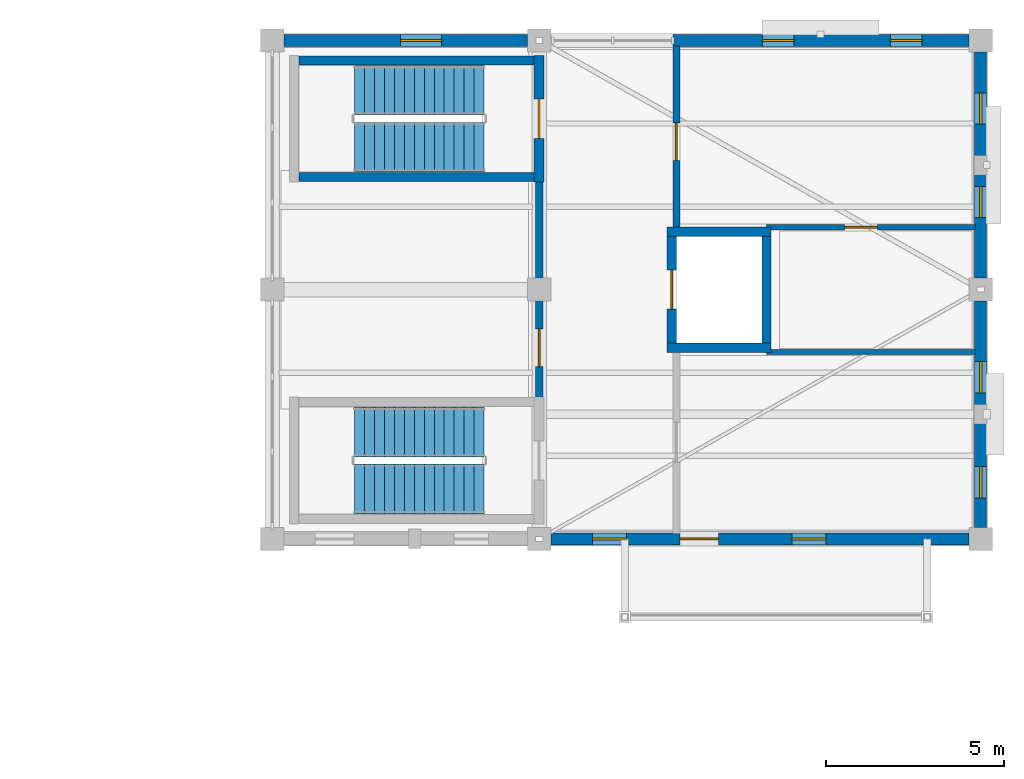
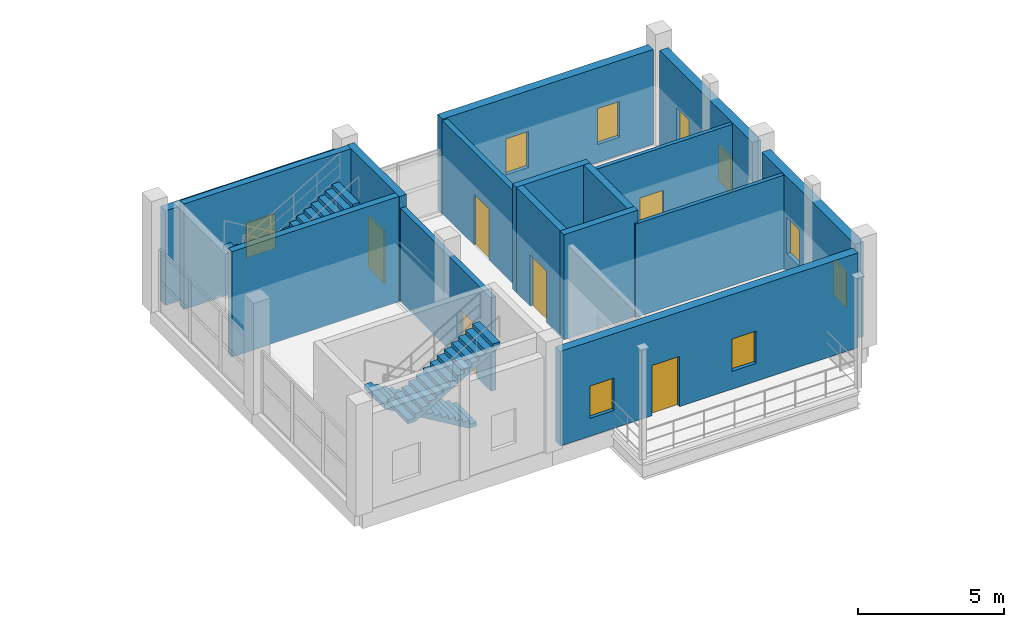
# One storey, part 32 of 40: 16 walls, 9 windows, 6 doors, 4 stair flights, 15 openings, 2 elements without a shape of their own.
"""IFC4 building model written with IfcOpenShell, lengths in metres."""

from ifc_helpers import new_model, si_unit, direction, frame, frame_2d, origin, place, context, subcontext, project, spatial, polyline, rectangle, outline, extrude, material, layer, layer_set, type_object, element, fill, aggregate, save


model = new_model("IFC4")

# Units and contexts
model_context = context("Model", 3, precision=1e-05, world=origin(), true_north=direction((0.0, 1.0)))
body_context = subcontext(model_context, "Body", "Model", "MODEL_VIEW")
ifc_project = project(units=[si_unit("LENGTHUNIT", "METRE"), si_unit("AREAUNIT", "SQUARE_METRE"), si_unit("VOLUMEUNIT", "CUBIC_METRE"), si_unit("PLANEANGLEUNIT", "RADIAN"), si_unit("MASSUNIT", "GRAM", prefix="KILO")], contexts=[model_context])

# Site, building, storey
site_placement = place(None, origin())
site = spatial("IfcSite", under=ifc_project, at=site_placement, CompositionType="ELEMENT")
building_placement = place(site_placement, origin())
building = spatial("IfcBuilding", under=site, at=building_placement, Name="Trellovar Central Fire Station", CompositionType="ELEMENT")
storey_placement = place(building_placement, frame((0.0, 0.0, 12.75)))
storey = spatial("IfcBuildingStorey", under=building, at=storey_placement, Name="L04", CompositionType="ELEMENT", Elevation=12.75)

# Wall, openings, door, windows
ifc_material_1 = material(Name="Textured desert sandstone masonry", Category="masonry")
ifc_layer_1 = layer(ifc_material_1, 0.340087890625)
ifc_layer_set_1 = layer_set([ifc_layer_1], Name="Textured desert sandstone masonry")
wall_type_1 = type_object("IfcWallType", Name="EW-3", PredefinedType="STANDARD", material=ifc_layer_set_1)
wall_1_placement = place(storey_placement, frame((148.925048828125, 59.0, 0.0), z_axis=(0.0, 0.0, 1.0), x_axis=(1.0, 0.0, 0.0)))
wall_1 = element("IfcWall", 1, at=wall_1_placement, inside=storey, type_object=wall_type_1, Name="V2 L04 south training deck wall", PredefinedType="STANDARD", context=body_context, shape_type="SweptSolid", body=[
    extrude(rectangle(XDim=11.75, YDim=0.340087890625, at=frame_2d((5.875, 0.0))), origin(), (0.0, 0.0, 1.0), 3.949951171875),
])
opening_1_placement = place(wall_1_placement, frame((3.625, 0.0, 0.0)))
opening_1 = element("IfcOpeningElement", 2, at=opening_1_placement, cuts=wall_1, Name="Opening EX-3", PredefinedType="OPENING", context=body_context, shape_type="SweptSolid", body=[
    extrude(rectangle(XDim=1.080078125, YDim=2.10009765625, at=frame_2d((0.5400390625, 1.050048828125))), frame((0.0, 0.179931640625, 0.0), z_axis=(0.0, -1.0, 0.0), x_axis=(1.0, 0.0, 0.0)), (0.0, 0.0, 1.0), 0.360107421875),
])
opening_2_placement = place(wall_1_placement, frame((1.175048828125, 0.0, 0.75)))
opening_2 = element("IfcOpeningElement", 3, at=opening_2_placement, cuts=wall_1, Name="Opening W-05", PredefinedType="OPENING", context=body_context, shape_type="SweptSolid", body=[
    extrude(rectangle(XDim=0.949951171875, YDim=1.35009765625, at=frame_2d((0.47509765625, 0.675048828125))), frame((0.0, 0.179931640625, 0.0), z_axis=(0.0, -1.0, 0.0), x_axis=(1.0, 0.0, 0.0)), (0.0, 0.0, 1.0), 0.360107421875),
])
opening_3_placement = place(wall_1_placement, frame((6.77490234375, 0.0, 0.75)))
opening_3 = element("IfcOpeningElement", 4, at=opening_3_placement, cuts=wall_1, Name="Opening W-05", PredefinedType="OPENING", context=body_context, shape_type="SweptSolid", body=[
    extrude(rectangle(XDim=0.949951171875, YDim=1.35009765625, at=frame_2d((0.47509765625, 0.675048828125))), frame((0.0, 0.179931640625, 0.0), z_axis=(0.0, -1.0, 0.0), x_axis=(1.0, 0.0, 0.0)), (0.0, 0.0, 1.0), 0.360107421875),
])
ifc_material_2 = material(Name="Thermally broken bronze anodized aluminum", Category="aluminium")
door_type_1 = type_object("IfcDoorType", Name="DR-EXT3", OperationType="SINGLE_SWING_LEFT", PredefinedType="DOOR", material=ifc_material_2)
door_1_placement = place(opening_1_placement, frame((1.080078125, 0.0, 0.0), z_axis=(0.0, 0.0, 1.0), x_axis=(-1.0, 0.0, 0.0)))
door_1 = element("IfcDoor", 5, at=door_1_placement, inside=storey, type_object=door_type_1, Name="V2 L04 rappel training balcony door", OperationType="SINGLE_SWING_LEFT", OverallHeight=2.10009765625, OverallWidth=1.080078125, PredefinedType="DOOR", context=body_context, shape_type="SweptSolid", body=[
    extrude(rectangle(XDim=1.080078125, YDim=2.10009765625, at=frame_2d((0.5400390625, 1.050048828125))), frame((0.0, 0.02490234375, 0.0), z_axis=(0.0, -1.0, 0.0), x_axis=(1.0, 0.0, 0.0)), (0.0, 0.0, 1.0), 0.050048828125),
])
fill(opening_1, door_1)
ifc_material_3 = material(Name="Thermally broken bronze anodized aluminum", Category="aluminium")
window_type_1 = type_object("IfcWindowType", Name="WIN-05", PartitioningType="SINGLE_PANEL", PredefinedType="WINDOW", material=ifc_material_3)
window_1_placement = place(opening_2_placement, origin())
window_1 = element("IfcWindow", 6, at=window_1_placement, inside=storey, type_object=window_type_1, Name="V2 L04 bailout training window W", OverallHeight=1.35009765625, OverallWidth=0.949951171875, PartitioningType="SINGLE_PANEL", PredefinedType="WINDOW", context=body_context, shape_type="SweptSolid", body=[
    extrude(rectangle(XDim=0.949951171875, YDim=1.35009765625, at=frame_2d((0.47509765625, 0.675048828125))), frame((0.0, 0.030029296875, 0.0), z_axis=(0.0, -1.0, 0.0), x_axis=(1.0, 0.0, 0.0)), (0.0, 0.0, 1.0), 0.06005859375),
])
fill(opening_2, window_1)
window_2_placement = place(opening_3_placement, origin())
window_2 = element("IfcWindow", 7, at=window_2_placement, inside=storey, type_object=window_type_1, Name="V2 L04 bailout training window E", OverallHeight=1.35009765625, OverallWidth=0.949951171875, PartitioningType="SINGLE_PANEL", PredefinedType="WINDOW", context=body_context, shape_type="SweptSolid", body=[
    extrude(rectangle(XDim=0.949951171875, YDim=1.35009765625, at=frame_2d((0.47509765625, 0.675048828125))), frame((0.0, 0.030029296875, 0.0), z_axis=(0.0, -1.0, 0.0), x_axis=(1.0, 0.0, 0.0)), (0.0, 0.0, 1.0), 0.06005859375),
])
fill(opening_3, window_2)

# Wall, openings, windows
wall_2_placement = place(storey_placement, frame((160.675048828125, 73.0, 0.0), z_axis=(0.0, 0.0, 1.0), x_axis=(-1.0, 0.0, 0.0)))
wall_2 = element("IfcWall", 8, at=wall_2_placement, inside=storey, type_object=wall_type_1, Name="V2 L04 north hose shaft wall", PredefinedType="STANDARD", context=body_context, shape_type="SweptSolid", body=[
    extrude(rectangle(XDim=8.324951171875, YDim=0.340087890625, at=frame_2d((4.16259765625, 0.0))), origin(), (0.0, 0.0, 1.0), 3.949951171875),
])
opening_4_placement = place(wall_2_placement, frame((1.324951171875, 0.0, 0.75)))
opening_4 = element("IfcOpeningElement", 9, at=opening_4_placement, cuts=wall_2, Name="Opening W-07", PredefinedType="OPENING", context=body_context, shape_type="SweptSolid", body=[
    extrude(rectangle(XDim=0.8798828125, YDim=1.5, at=frame_2d((0.43994140625, 0.75))), frame((0.0, 0.179931640625, 0.0), z_axis=(0.0, -1.0, 0.0), x_axis=(1.0, 0.0, 0.0)), (0.0, 0.0, 1.0), 0.360107421875),
])
opening_5_placement = place(wall_2_placement, frame((4.925048828125, 0.0, 0.75)))
opening_5 = element("IfcOpeningElement", 10, at=opening_5_placement, cuts=wall_2, Name="Opening W-07", PredefinedType="OPENING", context=body_context, shape_type="SweptSolid", body=[
    extrude(rectangle(XDim=0.8798828125, YDim=1.5, at=frame_2d((0.43994140625, 0.75))), frame((0.0, 0.179931640625, 0.0), z_axis=(0.0, -1.0, 0.0), x_axis=(1.0, 0.0, 0.0)), (0.0, 0.0, 1.0), 0.360107421875),
])
ifc_material_4 = material(Name="Thermally broken bronze anodized aluminum", Category="aluminium")
window_type_2 = type_object("IfcWindowType", Name="WIN-07", PartitioningType="SINGLE_PANEL", PredefinedType="WINDOW", material=ifc_material_4)
window_3_placement = place(opening_4_placement, origin())
window_3 = element("IfcWindow", 11, at=window_3_placement, inside=storey, type_object=window_type_2, Name="V2 L04 hose drying ventilation lancet A", OverallHeight=1.5, OverallWidth=0.8798828125, PartitioningType="SINGLE_PANEL", PredefinedType="WINDOW", context=body_context, shape_type="SweptSolid", body=[
    extrude(rectangle(XDim=0.8798828125, YDim=1.5, at=frame_2d((0.43994140625, 0.75))), frame((0.0, 0.030029296875, 0.0), z_axis=(0.0, -1.0, 0.0), x_axis=(1.0, 0.0, 0.0)), (0.0, 0.0, 1.0), 0.06005859375),
])
fill(opening_4, window_3)
window_4_placement = place(opening_5_placement, origin())
window_4 = element("IfcWindow", 12, at=window_4_placement, inside=storey, type_object=window_type_2, Name="V2 L04 hose drying ventilation lancet B", OverallHeight=1.5, OverallWidth=0.8798828125, PartitioningType="SINGLE_PANEL", PredefinedType="WINDOW", context=body_context, shape_type="SweptSolid", body=[
    extrude(rectangle(XDim=0.8798828125, YDim=1.5, at=frame_2d((0.43994140625, 0.75))), frame((0.0, 0.030029296875, 0.0), z_axis=(0.0, -1.0, 0.0), x_axis=(1.0, 0.0, 0.0)), (0.0, 0.0, 1.0), 0.06005859375),
])
fill(opening_5, window_4)

# Wall, opening, window
wall_3_placement = place(storey_placement, frame((148.27490234375, 73.0, 0.0), z_axis=(0.0, 0.0, 1.0), x_axis=(-1.0, 0.0, 0.0)))
wall_3 = element("IfcWall", 13, at=wall_3_placement, inside=storey, type_object=wall_type_1, Name="V2 L04 north stair bay wall", PredefinedType="STANDARD", context=body_context, shape_type="SweptSolid", body=[
    extrude(rectangle(XDim=6.849853515625, YDim=0.340087890625, at=frame_2d((3.4248046875, 0.0))), origin(), (0.0, 0.0, 1.0), 3.949951171875),
])
opening_6_placement = place(wall_3_placement, frame((2.425048828125, 0.0, 0.75)))
opening_6 = element("IfcOpeningElement", 14, at=opening_6_placement, cuts=wall_3, Name="Opening W-01", PredefinedType="OPENING", context=body_context, shape_type="SweptSolid", body=[
    extrude(rectangle(XDim=1.14990234375, YDim=1.449951171875, at=frame_2d((0.574951171875, 0.72509765625))), frame((0.0, 0.179931640625, 0.0), z_axis=(0.0, -1.0, 0.0), x_axis=(1.0, 0.0, 0.0)), (0.0, 0.0, 1.0), 0.360107421875),
])
ifc_material_5 = material(Name="Thermally broken bronze anodized aluminum", Category="aluminium")
window_type_3 = type_object("IfcWindowType", Name="WIN-01", PartitioningType="SINGLE_PANEL", PredefinedType="WINDOW", material=ifc_material_5)
window_5_placement = place(opening_6_placement, origin())
window_5 = element("IfcWindow", 15, at=window_5_placement, inside=storey, type_object=window_type_3, Name="L04 window W-01", OverallHeight=1.449951171875, OverallWidth=1.14990234375, PartitioningType="SINGLE_PANEL", PredefinedType="WINDOW", context=body_context, shape_type="SweptSolid", body=[
    extrude(rectangle(XDim=1.14990234375, YDim=1.449951171875, at=frame_2d((0.574951171875, 0.72509765625))), frame((0.0, 0.030029296875, 0.0), z_axis=(0.0, -1.0, 0.0), x_axis=(1.0, 0.0, 0.0)), (0.0, 0.0, 1.0), 0.06005859375),
])
fill(opening_6, window_5)

# Wall, openings, windows
wall_4_placement = place(storey_placement, frame((161.0, 59.324951171875, 0.0), z_axis=(0.0, 0.0, 1.0), x_axis=(0.0, 1.0, 0.0)))
wall_4 = element("IfcWall", 16, at=wall_4_placement, inside=storey, type_object=wall_type_1, Name="V2 L04 east avenue wall", PredefinedType="STANDARD", context=body_context, shape_type="SweptSolid", body=[
    extrude(rectangle(XDim=6.35009765625, YDim=0.340087890625, at=frame_2d((3.175048828125, 0.0))), origin(), (0.0, 0.0, 1.0), 3.949951171875),
])
opening_7_placement = place(wall_4_placement, frame((0.824951171875, 0.0, 0.75)))
opening_7 = element("IfcOpeningElement", 17, at=opening_7_placement, cuts=wall_4, Name="Opening W-07", PredefinedType="OPENING", context=body_context, shape_type="SweptSolid", body=[
    extrude(rectangle(XDim=0.8798828125, YDim=1.5, at=frame_2d((0.43994140625, 0.75))), frame((0.0, 0.179931640625, 0.0), z_axis=(0.0, -1.0, 0.0), x_axis=(1.0, 0.0, 0.0)), (0.0, 0.0, 1.0), 0.360107421875),
])
opening_8_placement = place(wall_4_placement, frame((3.77490234375, 0.0, 0.75)))
opening_8 = element("IfcOpeningElement", 18, at=opening_8_placement, cuts=wall_4, Name="Opening W-07", PredefinedType="OPENING", context=body_context, shape_type="SweptSolid", body=[
    extrude(rectangle(XDim=0.8798828125, YDim=1.5, at=frame_2d((0.43994140625, 0.75))), frame((0.0, 0.179931640625, 0.0), z_axis=(0.0, -1.0, 0.0), x_axis=(1.0, 0.0, 0.0)), (0.0, 0.0, 1.0), 0.360107421875),
])
window_6_placement = place(opening_7_placement, origin())
window_6 = element("IfcWindow", 19, at=window_6_placement, inside=storey, type_object=window_type_2, Name="L04 window W-07", OverallHeight=1.5, OverallWidth=0.8798828125, PartitioningType="SINGLE_PANEL", PredefinedType="WINDOW", context=body_context, shape_type="SweptSolid", body=[
    extrude(rectangle(XDim=0.8798828125, YDim=1.5, at=frame_2d((0.43994140625, 0.75))), frame((0.0, 0.030029296875, 0.0), z_axis=(0.0, -1.0, 0.0), x_axis=(1.0, 0.0, 0.0)), (0.0, 0.0, 1.0), 0.06005859375),
])
fill(opening_7, window_6)
window_7_placement = place(opening_8_placement, origin())
window_7 = element("IfcWindow", 20, at=window_7_placement, inside=storey, type_object=window_type_2, Name="L04 window W-07", OverallHeight=1.5, OverallWidth=0.8798828125, PartitioningType="SINGLE_PANEL", PredefinedType="WINDOW", context=body_context, shape_type="SweptSolid", body=[
    extrude(rectangle(XDim=0.8798828125, YDim=1.5, at=frame_2d((0.43994140625, 0.75))), frame((0.0, 0.030029296875, 0.0), z_axis=(0.0, -1.0, 0.0), x_axis=(1.0, 0.0, 0.0)), (0.0, 0.0, 1.0), 0.06005859375),
])
fill(opening_8, window_7)

wall_5_placement = place(storey_placement, frame((161.0, 66.324951171875, 0.0), z_axis=(0.0, 0.0, 1.0), x_axis=(0.0, 1.0, 0.0)))
wall_5 = element("IfcWall", 21, at=wall_5_placement, inside=storey, type_object=wall_type_1, Name="V2 L04 east avenue wall", PredefinedType="STANDARD", context=body_context, shape_type="SweptSolid", body=[
    extrude(rectangle(XDim=6.35009765625, YDim=0.340087890625, at=frame_2d((3.175048828125, 0.0))), origin(), (0.0, 0.0, 1.0), 3.949951171875),
])
opening_9_placement = place(wall_5_placement, frame((1.695068359375, 0.0, 0.75)))
opening_9 = element("IfcOpeningElement", 22, at=opening_9_placement, cuts=wall_5, Name="Opening W-07", PredefinedType="OPENING", context=body_context, shape_type="SweptSolid", body=[
    extrude(rectangle(XDim=0.8798828125, YDim=1.5, at=frame_2d((0.43994140625, 0.75))), frame((0.0, 0.179931640625, 0.0), z_axis=(0.0, -1.0, 0.0), x_axis=(1.0, 0.0, 0.0)), (0.0, 0.0, 1.0), 0.360107421875),
])
opening_10_placement = place(wall_5_placement, frame((4.324951171875, 0.0, 0.75)))
opening_10 = element("IfcOpeningElement", 23, at=opening_10_placement, cuts=wall_5, Name="Opening W-07", PredefinedType="OPENING", context=body_context, shape_type="SweptSolid", body=[
    extrude(rectangle(XDim=0.8798828125, YDim=1.5, at=frame_2d((0.43994140625, 0.75))), frame((0.0, 0.179931640625, 0.0), z_axis=(0.0, -1.0, 0.0), x_axis=(1.0, 0.0, 0.0)), (0.0, 0.0, 1.0), 0.360107421875),
])
window_8_placement = place(opening_9_placement, origin())
window_8 = element("IfcWindow", 24, at=window_8_placement, inside=storey, type_object=window_type_2, Name="L04 window W-07", OverallHeight=1.5, OverallWidth=0.8798828125, PartitioningType="SINGLE_PANEL", PredefinedType="WINDOW", context=body_context, shape_type="SweptSolid", body=[
    extrude(rectangle(XDim=0.8798828125, YDim=1.5, at=frame_2d((0.43994140625, 0.75))), frame((0.0, 0.030029296875, 0.0), z_axis=(0.0, -1.0, 0.0), x_axis=(1.0, 0.0, 0.0)), (0.0, 0.0, 1.0), 0.06005859375),
])
fill(opening_9, window_8)
window_9_placement = place(opening_10_placement, origin())
window_9 = element("IfcWindow", 25, at=window_9_placement, inside=storey, type_object=window_type_2, Name="L04 window W-07", OverallHeight=1.5, OverallWidth=0.8798828125, PartitioningType="SINGLE_PANEL", PredefinedType="WINDOW", context=body_context, shape_type="SweptSolid", body=[
    extrude(rectangle(XDim=0.8798828125, YDim=1.5, at=frame_2d((0.43994140625, 0.75))), frame((0.0, 0.030029296875, 0.0), z_axis=(0.0, -1.0, 0.0), x_axis=(1.0, 0.0, 0.0)), (0.0, 0.0, 1.0), 0.06005859375),
])
fill(opening_10, window_9)

# Wall, opening, door
ifc_material_6 = material(Name="Acoustic concrete masonry unit", Category="masonry")
ifc_layer_2 = layer(ifc_material_6, 0.199951171875)
ifc_layer_set_2 = layer_set([ifc_layer_2], Name="Acoustic concrete masonry unit")
wall_type_2 = type_object("IfcWallType", Name="PT-1", PredefinedType="PARTITIONING", material=ifc_layer_set_2)
wall_6_placement = place(storey_placement, frame((148.60009765625, 62.840087890625, 0.0), z_axis=(0.0, 0.0, 1.0), x_axis=(0.0, 1.0, 0.0)))
wall_6 = element("IfcWall", 26, at=wall_6_placement, inside=storey, type_object=wall_type_2, Name="V2 L04 west lab corridor wall", PredefinedType="PARTITIONING", context=body_context, shape_type="SweptSolid", body=[
    extrude(rectangle(XDim=6.31982421875, YDim=0.199951171875, at=frame_2d((3.159912109375, 0.0))), origin(), (0.0, 0.0, 1.0), 3.89990234375),
])
opening_11_placement = place(wall_6_placement, frame((1.0, 0.0, 0.0)))
opening_11 = element("IfcOpeningElement", 27, at=opening_11_placement, cuts=wall_6, Name="Opening ID-5", PredefinedType="OPENING", context=body_context, shape_type="SweptSolid", body=[
    extrude(rectangle(XDim=1.050048828125, YDim=2.139892578125, at=frame_2d((0.52490234375, 1.06982421875))), frame((0.0, 0.10986328125, 0.0), z_axis=(0.0, -1.0, 0.0), x_axis=(1.0, 0.0, 0.0)), (0.0, 0.0, 1.0), 0.219970703125),
])
ifc_material_7 = material(Name="Hollow galvanized steel with acoustic core", Category="steel")
door_type_2 = type_object("IfcDoorType", Name="DR-INT5", OperationType="SINGLE_SWING_LEFT", PredefinedType="DOOR", material=ifc_material_7)
door_2_placement = place(opening_11_placement, origin())
door_2 = element("IfcDoor", 28, at=door_2_placement, inside=storey, type_object=door_type_2, Name="V2 L04 west training lab door", OperationType="SINGLE_SWING_LEFT", OverallHeight=2.139892578125, OverallWidth=1.050048828125, PredefinedType="DOOR", context=body_context, shape_type="SweptSolid", body=[
    extrude(rectangle(XDim=1.050048828125, YDim=2.139892578125, at=frame_2d((0.52490234375, 1.06982421875))), frame((0.0, 0.02490234375, 0.0), z_axis=(0.0, -1.0, 0.0), x_axis=(1.0, 0.0, 0.0)), (0.0, 0.0, 1.0), 0.050048828125),
])
fill(opening_11, door_2)

wall_7_placement = place(storey_placement, frame((152.449951171875, 67.6298828125, 0.0), z_axis=(0.0, 0.0, 1.0), x_axis=(0.0, 1.0, 0.0)))
wall_7 = element("IfcWall", 29, at=wall_7_placement, inside=storey, type_object=wall_type_2, Name="V2 L04 north hose gallery wall", PredefinedType="PARTITIONING", context=body_context, shape_type="SweptSolid", body=[
    extrude(rectangle(XDim=5.22021484375, YDim=0.199951171875, at=frame_2d((2.610107421875, 0.0))), origin(), (0.0, 0.0, 1.0), 3.89990234375),
])
opening_12_placement = place(wall_7_placement, frame((2.0, 0.0, 0.0)))
opening_12 = element("IfcOpeningElement", 30, at=opening_12_placement, cuts=wall_7, Name="Opening ID-5", PredefinedType="OPENING", context=body_context, shape_type="SweptSolid", body=[
    extrude(rectangle(XDim=1.050048828125, YDim=2.139892578125, at=frame_2d((0.52490234375, 1.06982421875))), frame((0.0, 0.10986328125, 0.0), z_axis=(0.0, -1.0, 0.0), x_axis=(1.0, 0.0, 0.0)), (0.0, 0.0, 1.0), 0.219970703125),
])
door_3_placement = place(opening_12_placement, origin())
door_3 = element("IfcDoor", 31, at=door_3_placement, inside=storey, type_object=door_type_2, Name="V2 L04 north hose gallery door", OperationType="SINGLE_SWING_LEFT", OverallHeight=2.139892578125, OverallWidth=1.050048828125, PredefinedType="DOOR", context=body_context, shape_type="SweptSolid", body=[
    extrude(rectangle(XDim=1.050048828125, YDim=2.139892578125, at=frame_2d((0.52490234375, 1.06982421875))), frame((0.0, 0.02490234375, 0.0), z_axis=(0.0, -1.0, 0.0), x_axis=(1.0, 0.0, 0.0)), (0.0, 0.0, 1.0), 0.050048828125),
])
fill(opening_12, door_3)

# Wall
ifc_material_8 = material(Name="Fire-rated acoustic gypsum stud partition", Category="gypsum")
ifc_layer_3 = layer(ifc_material_8, 0.14990234375)
ifc_layer_set_3 = layer_set([ifc_layer_3], Name="Fire-rated acoustic gypsum stud partition")
wall_type_3 = type_object("IfcWallType", Name="PT-6", PredefinedType="PARTITIONING", material=ifc_layer_set_3)
wall_8_placement = place(storey_placement, frame((154.97998046875, 64.25, 0.0), z_axis=(0.0, 0.0, 1.0), x_axis=(1.0, 0.0, 0.0)))
element("IfcWall", 32, at=wall_8_placement, inside=storey, type_object=wall_type_3, Name="V2 L04 restroom south wall", PredefinedType="PARTITIONING", context=body_context, shape_type="SweptSolid", body=[
    extrude(rectangle(XDim=5.8701171875, YDim=0.14990234375, at=frame_2d((2.93505859375, 0.0))), origin(), (0.0, 0.0, 1.0), 3.89990234375),
])

# Wall, opening, door
wall_9_placement = place(storey_placement, frame((154.97998046875, 67.75, 0.0), z_axis=(0.0, 0.0, 1.0), x_axis=(1.0, 0.0, 0.0)))
wall_9 = element("IfcWall", 33, at=wall_9_placement, inside=storey, type_object=wall_type_3, Name="V2 L04 restroom north wall", PredefinedType="PARTITIONING", context=body_context, shape_type="SweptSolid", body=[
    extrude(rectangle(XDim=5.8701171875, YDim=0.14990234375, at=frame_2d((2.93505859375, 0.0))), origin(), (0.0, 0.0, 1.0), 3.89990234375),
])
opening_13_placement = place(wall_9_placement, frame((2.199951171875, 0.0, 0.0)))
opening_13 = element("IfcOpeningElement", 34, at=opening_13_placement, cuts=wall_9, Name="Opening ID-6", PredefinedType="OPENING", context=body_context, shape_type="SweptSolid", body=[
    extrude(rectangle(XDim=0.919921875, YDim=2.10009765625, at=frame_2d((0.4599609375, 1.050048828125))), frame((0.0, 0.0849609375, 0.0), z_axis=(0.0, -1.0, 0.0), x_axis=(1.0, 0.0, 0.0)), (0.0, 0.0, 1.0), 0.169921875),
])
ifc_material_9 = material(Name="Solid core acoustic white oak veneer", Category="wood")
door_type_3 = type_object("IfcDoorType", Name="DR-INT6", OperationType="SINGLE_SWING_LEFT", PredefinedType="DOOR", material=ifc_material_9)
door_4_placement = place(opening_13_placement, origin())
door_4 = element("IfcDoor", 35, at=door_4_placement, inside=storey, type_object=door_type_3, Name="V2 L04 restroom door", OperationType="SINGLE_SWING_RIGHT", OverallHeight=2.10009765625, OverallWidth=0.919921875, PredefinedType="DOOR", context=body_context, shape_type="SweptSolid", body=[
    extrude(rectangle(XDim=0.919921875, YDim=2.10009765625, at=frame_2d((0.4599609375, 1.050048828125))), frame((0.0, 0.02490234375, 0.0), z_axis=(0.0, -1.0, 0.0), x_axis=(1.0, 0.0, 0.0)), (0.0, 0.0, 1.0), 0.050048828125),
])
fill(opening_13, door_4)

ifc_material_10 = material(Name="Concrete C40/50", Category="concrete")
ifc_layer_4 = layer(ifc_material_10, 0.280029296875)
ifc_layer_set_4 = layer_set([ifc_layer_4], Name="Concrete C40/50")
wall_type_4 = type_object("IfcWallType", Name="SW-1", PredefinedType="SHEAR", material=ifc_layer_set_4)
wall_10_placement = place(storey_placement, frame((148.590087890625, 72.580078125, 0.0), z_axis=(0.0, 0.0, 1.0), x_axis=(0.0, -1.0, 0.0)))
wall_10 = element("IfcWall", 36, at=wall_10_placement, inside=storey, type_object=wall_type_4, Name="Stair ST-06 L04 front corridor wall", PredefinedType="SHEAR", context=body_context, shape_type="SweptSolid", body=[
    extrude(rectangle(XDim=3.56005859375, YDim=0.280029296875, at=frame_2d((1.780029296875, 0.0))), origin(), (0.0, 0.0, 1.0), 4.39990234375),
])
opening_14_placement = place(wall_10_placement, frame((1.22998046875, 0.0, 0.0)))
opening_14 = element("IfcOpeningElement", 37, at=opening_14_placement, cuts=wall_10, Name="Opening SD-2", PredefinedType="OPENING", context=body_context, shape_type="SweptSolid", body=[
    extrude(rectangle(XDim=1.10009765625, YDim=2.14990234375, at=frame_2d((0.550048828125, 1.074951171875))), frame((0.0, 0.14990234375, 0.0), z_axis=(0.0, -1.0, 0.0), x_axis=(1.0, 0.0, 0.0)), (0.0, 0.0, 1.0), 0.300048828125),
])
ifc_material_11 = material(Name="Hollow galvanized steel with acoustic core", Category="steel")
door_type_4 = type_object("IfcDoorType", Name="DR-STR2", OperationType="SINGLE_SWING_LEFT", PredefinedType="DOOR", material=ifc_material_11)
door_5_placement = place(opening_14_placement, origin())
door_5 = element("IfcDoor", 38, at=door_5_placement, inside=storey, type_object=door_type_4, Name="Stair ST-06 L04 fire door", OperationType="SINGLE_SWING_RIGHT", OverallHeight=2.14990234375, OverallWidth=1.10009765625, PredefinedType="DOOR", context=body_context, shape_type="SweptSolid", body=[
    extrude(rectangle(XDim=1.10009765625, YDim=2.14990234375, at=frame_2d((0.550048828125, 1.074951171875))), frame((0.0, 0.02490234375, 0.0), z_axis=(0.0, -1.0, 0.0), x_axis=(1.0, 0.0, 0.0)), (0.0, 0.0, 1.0), 0.050048828125),
])
fill(opening_14, door_5)

# Walls
ifc_material_12 = material(Name="Concrete C40/50", Category="concrete")
ifc_layer_5 = layer(ifc_material_12, 0.25)
ifc_layer_set_5 = layer_set([ifc_layer_5], Name="Concrete C40/50")
wall_type_5 = type_object("IfcWallType", Name="SW-2", PredefinedType="SHEAR", material=ifc_layer_set_5)
for number, where, z_axis, x_axis, name in (
    (39, (148.449951171875, 72.43994140625, 0.0), (0.0, 0.0, 1.0), (-1.0, 0.0, 0.0), "Stair ST-06 L04 left wall"),
    (40, (141.85009765625, 69.159912109375, 0.0), (0.0, 0.0, 1.0), (1.0, 0.0, 0.0), "Stair ST-06 L04 right wall"),
):
    element("IfcWall", number, at=place(storey_placement, frame(where, z_axis=z_axis, x_axis=x_axis)), inside=storey, type_object=wall_type_5, Name=name, PredefinedType="SHEAR", context=body_context, shape_type="SweptSolid", body=[
        extrude(rectangle(XDim=6.599853515625, YDim=0.25, at=frame_2d((3.2998046875, 0.0))), origin(), (0.0, 0.0, 1.0), 4.39990234375),
    ])
ifc_material_13 = material(Name="Concrete C40/50", Category="concrete")
ifc_layer_6 = layer(ifc_material_13, 0.260009765625)
ifc_layer_set_6 = layer_set([ifc_layer_6], Name="Concrete C40/50")
wall_type_6 = type_object("IfcWallType", Name="SW-4", PredefinedType="SHEAR", material=ifc_layer_set_6)
for number, where, z_axis, x_axis, name in (
    (41, (152.18994140625, 64.3701171875, 0.0), (0.0, 0.0, 1.0), (1.0, 0.0, 0.0), "Lift EL-04 L04 S wall"),
    (42, (155.110107421875, 67.6298828125, 0.0), (0.0, 0.0, 1.0), (-1.0, 0.0, 0.0), "Lift EL-04 L04 N wall"),
):
    element("IfcWall", number, at=place(storey_placement, frame(where, z_axis=z_axis, x_axis=x_axis)), inside=storey, type_object=wall_type_6, Name=name, PredefinedType="SHEAR", context=body_context, shape_type="SweptSolid", body=[
        extrude(rectangle(XDim=2.920166015625, YDim=0.260009765625, at=frame_2d((1.4599609375, 0.0))), origin(), (0.0, 0.0, 1.0), 4.39990234375),
    ])

# Wall, opening, door
wall_11_placement = place(storey_placement, frame((152.320068359375, 67.5, 0.0), z_axis=(0.0, 0.0, 1.0), x_axis=(0.0, -1.0, 0.0)))
wall_11 = element("IfcWall", 43, at=wall_11_placement, inside=storey, type_object=wall_type_6, Name="Lift EL-04 L04 W wall", PredefinedType="SHEAR", context=body_context, shape_type="SweptSolid", body=[
    extrude(rectangle(XDim=3.0, YDim=0.260009765625, at=frame_2d((1.5, 0.0))), origin(), (0.0, 0.0, 1.0), 4.39990234375),
])
opening_15_placement = place(wall_11_placement, frame((0.949951171875, 0.0, 0.0)))
opening_15 = element("IfcOpeningElement", 44, at=opening_15_placement, cuts=wall_11, Name="Opening LD-1", PredefinedType="OPENING", context=body_context, shape_type="SweptSolid", body=[
    extrude(rectangle(XDim=1.10009765625, YDim=2.14990234375, at=frame_2d((0.550048828125, 1.074951171875))), frame((0.0, 0.139892578125, 0.0), z_axis=(0.0, -1.0, 0.0), x_axis=(1.0, 0.0, 0.0)), (0.0, 0.0, 1.0), 0.280029296875),
])
ifc_material_14 = material(Name="Brushed stainless steel", Category="steel")
door_type_5 = type_object("IfcDoorType", Name="DR-LFT1", OperationType="SLIDING_TO_LEFT", PredefinedType="DOOR", material=ifc_material_14)
door_6_placement = place(opening_15_placement, origin())
door_6 = element("IfcDoor", 45, at=door_6_placement, inside=storey, type_object=door_type_5, Name="Elevator EL-04 L04 sliding landing door", OperationType="SLIDING_TO_LEFT", OverallHeight=2.14990234375, OverallWidth=1.10009765625, PredefinedType="DOOR", context=body_context, shape_type="SweptSolid", body=[
    extrude(rectangle(XDim=1.10009765625, YDim=2.14990234375, at=frame_2d((0.550048828125, 1.074951171875))), frame((0.0, 0.02490234375, 0.0), z_axis=(0.0, -1.0, 0.0), x_axis=(1.0, 0.0, 0.0)), (0.0, 0.0, 1.0), 0.050048828125),
])
fill(opening_15, door_6)

# Wall
wall_12_placement = place(storey_placement, frame((154.97998046875, 64.5, 0.0), z_axis=(0.0, 0.0, 1.0), x_axis=(0.0, 1.0, 0.0)))
element("IfcWall", 46, at=wall_12_placement, inside=storey, type_object=wall_type_6, Name="Lift EL-04 L04 E wall", PredefinedType="SHEAR", context=body_context, shape_type="SweptSolid", body=[
    extrude(rectangle(XDim=3.0, YDim=0.260009765625, at=frame_2d((1.5, 0.0))), origin(), (0.0, 0.0, 1.0), 4.39990234375),
])

# Stair, stair flights
ifc_material_15 = material(Name="Concrete C40/50", Category="concrete")
stair_type = type_object("IfcStairType", Name="ST-R1661", PredefinedType="HALF_TURN_STAIR", material=ifc_material_15)
stair_1_placement = place(storey_placement, origin())
stair_1 = element("IfcStair", 47, at=stair_1_placement, inside=storey, type_object=stair_type, Name="L04 Protected exit stair ST-05", PredefinedType="HALF_TURN_STAIR")
ifc_material_16 = material(Name="Concrete C40/50", Category="concrete")
stair_flight_type = type_object("IfcStairFlightType", Name="STF-R1661", PredefinedType="STRAIGHT", material=ifc_material_16)
stair_flight_1_placement = place(storey_placement, frame((147.050048828125, 62.0, 0.0), z_axis=(0.0, 0.0, 1.0), x_axis=(-1.0, 0.0, 0.0)))
stair_flight_1 = element("IfcStairFlight", 48, at=stair_flight_1_placement, type_object=stair_flight_type, Name="ST-05 flight 1", NumberOfRisers=14, NumberOfTreads=13, PredefinedType="STRAIGHT", RiserHeight=0.166071429, TreadLength=0.28, context=body_context, shape_type="SweptSolid", body=[
    extrude(outline(polyline([(0.0, 0.0), (0.0, 0.166015625), (0.280029296875, 0.166015625), (0.280029296875, 0.33203125), (0.56005859375, 0.33203125), (0.56005859375, 0.498291015625), (0.840087890625, 0.498291015625), (0.840087890625, 0.664306640625), (1.1201171875, 0.664306640625), (1.1201171875, 0.830322265625), (1.39990234375, 0.830322265625), (1.39990234375, 0.996337890625), (1.679931640625, 0.996337890625), (1.679931640625, 1.16259765625), (1.9599609375, 1.16259765625), (1.9599609375, 1.32861328125), (2.239990234375, 1.32861328125), (2.239990234375, 1.49462890625), (2.52001953125, 1.49462890625), (2.52001953125, 1.66064453125), (2.800048828125, 1.66064453125), (2.800048828125, 1.826904296875), (3.080078125, 1.826904296875), (3.080078125, 1.992919921875), (3.360107421875, 1.992919921875), (3.360107421875, 2.158935546875), (3.639892578125, 2.158935546875), (3.639892578125, 2.324951171875), (3.639892578125, 1.984619140625), (0.2939453125, 0.0), (0.0, 0.0)])), frame((0.0, 0.699951171875, 0.0), z_axis=(0.0, -1.0, 0.0), x_axis=(1.0, 0.0, 0.0)), (0.0, 0.0, 1.0), 1.39990234375),
])
stair_flight_2_placement = place(storey_placement, frame((143.409912109375, 60.39990234375, 2.324951171875), z_axis=(0.0, 0.0, 1.0), x_axis=(1.0, 0.0, 0.0)))
stair_flight_2 = element("IfcStairFlight", 49, at=stair_flight_2_placement, type_object=stair_flight_type, Name="ST-05 flight 2", NumberOfRisers=14, NumberOfTreads=13, PredefinedType="STRAIGHT", RiserHeight=0.166071429, TreadLength=0.28, context=body_context, shape_type="SweptSolid", body=[
    extrude(outline(polyline([(0.0, 0.0), (0.0, 0.166015625), (0.280029296875, 0.166015625), (0.280029296875, 0.33203125), (0.56005859375, 0.33203125), (0.56005859375, 0.498291015625), (0.840087890625, 0.498291015625), (0.840087890625, 0.664306640625), (1.1201171875, 0.664306640625), (1.1201171875, 0.830322265625), (1.39990234375, 0.830322265625), (1.39990234375, 0.996337890625), (1.679931640625, 0.996337890625), (1.679931640625, 1.16259765625), (1.9599609375, 1.16259765625), (1.9599609375, 1.32861328125), (2.239990234375, 1.32861328125), (2.239990234375, 1.49462890625), (2.52001953125, 1.49462890625), (2.52001953125, 1.66064453125), (2.800048828125, 1.66064453125), (2.800048828125, 1.826904296875), (3.080078125, 1.826904296875), (3.080078125, 1.992919921875), (3.360107421875, 1.992919921875), (3.360107421875, 2.158935546875), (3.639892578125, 2.158935546875), (3.639892578125, 2.324951171875), (3.639892578125, 1.984619140625), (0.2939453125, 0.0), (0.0, 0.0)])), frame((0.0, 0.699951171875, 0.0), z_axis=(0.0, -1.0, 0.0), x_axis=(1.0, 0.0, 0.0)), (0.0, 0.0, 1.0), 1.39990234375),
])
aggregate(stair_1, [stair_flight_1, stair_flight_2])

stair_2_placement = place(storey_placement, origin())
stair_2 = element("IfcStair", 50, at=stair_2_placement, inside=storey, type_object=stair_type, Name="L04 Protected exit stair ST-06", PredefinedType="HALF_TURN_STAIR")
stair_flight_3_placement = place(storey_placement, frame((147.050048828125, 71.60009765625, 0.0), z_axis=(0.0, 0.0, 1.0), x_axis=(-1.0, 0.0, 0.0)))
stair_flight_3 = element("IfcStairFlight", 51, at=stair_flight_3_placement, type_object=stair_flight_type, Name="ST-06 flight 1", NumberOfRisers=14, NumberOfTreads=13, PredefinedType="STRAIGHT", RiserHeight=0.166071429, TreadLength=0.28, context=body_context, shape_type="SweptSolid", body=[
    extrude(outline(polyline([(0.0, 0.0), (0.0, 0.166015625), (0.280029296875, 0.166015625), (0.280029296875, 0.33203125), (0.56005859375, 0.33203125), (0.56005859375, 0.498291015625), (0.840087890625, 0.498291015625), (0.840087890625, 0.664306640625), (1.1201171875, 0.664306640625), (1.1201171875, 0.830322265625), (1.39990234375, 0.830322265625), (1.39990234375, 0.996337890625), (1.679931640625, 0.996337890625), (1.679931640625, 1.16259765625), (1.9599609375, 1.16259765625), (1.9599609375, 1.32861328125), (2.239990234375, 1.32861328125), (2.239990234375, 1.49462890625), (2.52001953125, 1.49462890625), (2.52001953125, 1.66064453125), (2.800048828125, 1.66064453125), (2.800048828125, 1.826904296875), (3.080078125, 1.826904296875), (3.080078125, 1.992919921875), (3.360107421875, 1.992919921875), (3.360107421875, 2.158935546875), (3.639892578125, 2.158935546875), (3.639892578125, 2.324951171875), (3.639892578125, 1.984619140625), (0.2939453125, 0.0), (0.0, 0.0)])), frame((0.0, 0.699951171875, 0.0), z_axis=(0.0, -1.0, 0.0), x_axis=(1.0, 0.0, 0.0)), (0.0, 0.0, 1.0), 1.39990234375),
])
stair_flight_4_placement = place(storey_placement, frame((143.409912109375, 70.0, 2.324951171875), z_axis=(0.0, 0.0, 1.0), x_axis=(1.0, 0.0, 0.0)))
stair_flight_4 = element("IfcStairFlight", 52, at=stair_flight_4_placement, type_object=stair_flight_type, Name="ST-06 flight 2", NumberOfRisers=14, NumberOfTreads=13, PredefinedType="STRAIGHT", RiserHeight=0.166071429, TreadLength=0.28, context=body_context, shape_type="SweptSolid", body=[
    extrude(outline(polyline([(0.0, 0.0), (0.0, 0.166015625), (0.280029296875, 0.166015625), (0.280029296875, 0.33203125), (0.56005859375, 0.33203125), (0.56005859375, 0.498291015625), (0.840087890625, 0.498291015625), (0.840087890625, 0.664306640625), (1.1201171875, 0.664306640625), (1.1201171875, 0.830322265625), (1.39990234375, 0.830322265625), (1.39990234375, 0.996337890625), (1.679931640625, 0.996337890625), (1.679931640625, 1.16259765625), (1.9599609375, 1.16259765625), (1.9599609375, 1.32861328125), (2.239990234375, 1.32861328125), (2.239990234375, 1.49462890625), (2.52001953125, 1.49462890625), (2.52001953125, 1.66064453125), (2.800048828125, 1.66064453125), (2.800048828125, 1.826904296875), (3.080078125, 1.826904296875), (3.080078125, 1.992919921875), (3.360107421875, 1.992919921875), (3.360107421875, 2.158935546875), (3.639892578125, 2.158935546875), (3.639892578125, 2.324951171875), (3.639892578125, 1.984619140625), (0.2939453125, 0.0), (0.0, 0.0)])), frame((0.0, 0.699951171875, 0.0), z_axis=(0.0, -1.0, 0.0), x_axis=(1.0, 0.0, 0.0)), (0.0, 0.0, 1.0), 1.39990234375),
])
aggregate(stair_2, [stair_flight_3, stair_flight_4])

save(model, "model.ifc")
